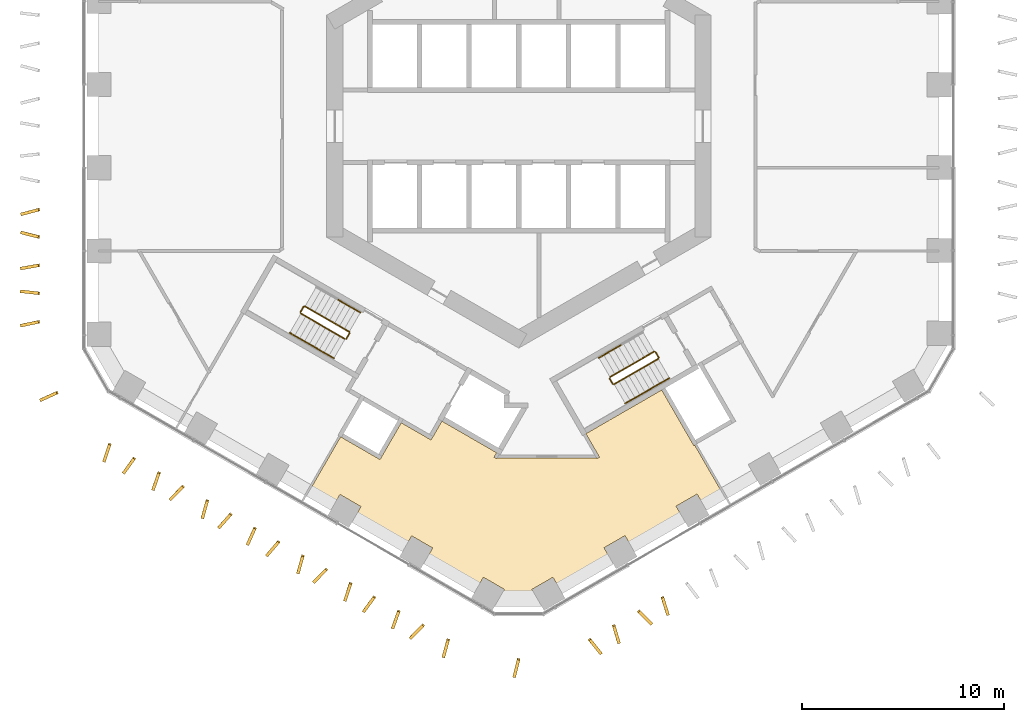
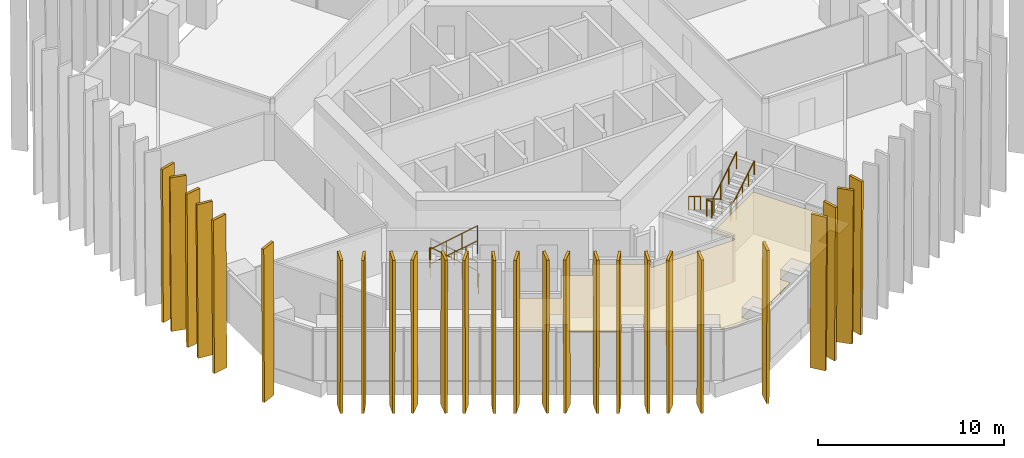
# One storey, part 16 of 18: 26 shading devices, 14 railings, 1 covering.
"""IFC4 building model written with IfcOpenShell, lengths in metres."""

from ifc_helpers import new_model, si_unit, direction, frame, origin, origin_2d, place, context, subcontext, project, spatial, polyline, circle, outline, extrude, material, layer, layer_set, type_object, element, save


model = new_model("IFC4")

# Units and contexts
model_context = context("Model", 3, precision=1e-05, world=origin(), true_north=direction((0.0, 1.0)))
body_context = subcontext(model_context, "Body", "Model", "MODEL_VIEW")
ifc_project = project(units=[si_unit("LENGTHUNIT", "METRE"), si_unit("AREAUNIT", "SQUARE_METRE"), si_unit("VOLUMEUNIT", "CUBIC_METRE"), si_unit("PLANEANGLEUNIT", "RADIAN"), si_unit("MASSUNIT", "GRAM", prefix="KILO")], contexts=[model_context])

# Site, building, storey
site_placement = place(None, origin())
site = spatial("IfcSite", under=ifc_project, at=site_placement, CompositionType="ELEMENT")
building_placement = place(site_placement, origin())
building = spatial("IfcBuilding", under=site, at=building_placement, Name="Ayvan Gate Tower", CompositionType="ELEMENT")
storey_placement = place(building_placement, frame((0.0, 0.0, 25.5)))
storey = spatial("IfcBuildingStorey", under=building, at=storey_placement, Name="L05", CompositionType="ELEMENT", Elevation=25.5)

# Shading devices
ifc_material_1 = material(Name="Bronze anodised aluminium", Category="aluminium")
ifc_layer_1 = layer(ifc_material_1, 0.14990234375)
ifc_layer_set_1 = layer_set([ifc_layer_1], Name="Bronze anodised aluminium")
shading_device_type = type_object("IfcShadingDeviceType", Name="Bronze fin 900 x 150", PredefinedType="USERDEFINED", material=ifc_layer_set_1)
shading_device_1_placement = place(storey_placement, frame((-23.703857421875, -4.04150390625, 0.0), z_axis=(-0.25528106892, 0.966866875271, 0.000146130181), x_axis=(-0.966866885595, -0.255281071646, 0.0)))
element("IfcShadingDevice", 1, at=shading_device_1_placement, inside=storey, type_object=shading_device_type, Name="Bronze fin FG01.3.27", ObjectType="FIN", PredefinedType="USERDEFINED", context=body_context, shape_type="SweptSolid", body=[
    extrude(outline(polyline([(0.0, 0.0), (0.8999348312201656, -6.776263578034403e-21), (0.9679956143881523, 10.080078232625148), (0.06806078316798671, 10.080078232625148), (0.0, 0.0)])), origin(), (0.0, 0.0, -1.0), 0.14990234375),
])
shading_device_2_placement = place(storey_placement, frame((-23.666259765625, -5.41259765625, 0.0), z_axis=(0.244385986234, 0.969678025291, 0.000130383469), x_axis=(-0.969678033533, 0.244385988311, 0.0)))
element("IfcShadingDevice", 2, at=shading_device_2_placement, inside=storey, type_object=shading_device_type, Name="Bronze fin FG01.3.28", ObjectType="FIN", PredefinedType="USERDEFINED", context=body_context, shape_type="SweptSolid", body=[
    extrude(outline(polyline([(0.0, 0.0), (0.9000953968140175, 0.0), (0.968246945247778, 10.080078210679902), (0.06815154843376045, 10.080078210679902), (0.0, 0.0)])), origin(), (0.0, 0.0, -1.0), 0.14990234375),
])
shading_device_3_placement = place(storey_placement, frame((-23.69775390625, -6.795166015625, 0.0), z_axis=(-0.175231999897, 0.984527157317, 0.000150722769), x_axis=(-0.9845271685, -0.175232001888, 3.583e-09)))
element("IfcShadingDevice", 3, at=shading_device_3_placement, inside=storey, type_object=shading_device_type, Name="Bronze fin FG01.3.29", ObjectType="FIN", PredefinedType="USERDEFINED", context=body_context, shape_type="SweptSolid", body=[
    extrude(outline(polyline([(0.0, 0.0), (0.8999142987562473, -3.3881317890172014e-21), (0.968126787084412, 10.080078236027916), (0.06797212524991766, 10.080078242476885), (0.0, 0.0)])), origin(), (0.0, 0.0, -1.0), 0.14990234375),
])
shading_device_4_placement = place(storey_placement, frame((-23.67626953125, -8.19091796875, 0.0), z_axis=(0.11095256135, 0.993825693171, 0.000143956923), x_axis=(-0.993825703469, 0.1109525625, 2.166e-09)))
element("IfcShadingDevice", 4, at=shading_device_4_placement, inside=storey, type_object=shading_device_type, Name="Bronze fin FG01.3.30", ObjectType="FIN", PredefinedType="USERDEFINED", context=body_context, shape_type="SweptSolid", body=[
    extrude(outline(polyline([(0.0, 0.0), (0.9000871522390453, 3.3881317890172014e-21), (0.9679737790360895, 10.080078227350926), (0.06812926002543004, 10.08007823124991), (0.0, 0.0)])), origin(), (0.0, 0.0, -1.0), 0.14990234375),
])
shading_device_5_placement = place(storey_placement, frame((-23.7001953125, -9.588623046875, 0.0), z_axis=(-0.206174540762, 0.978515221747, 0.000139826546), x_axis=(-0.978515231313, -0.206174542777, 0.0)))
element("IfcShadingDevice", 5, at=shading_device_5_placement, inside=storey, type_object=shading_device_type, Name="Bronze fin FG01.3.31", ObjectType="FIN", PredefinedType="USERDEFINED", context=body_context, shape_type="SweptSolid", body=[
    extrude(outline(polyline([(0.0, 0.0), (0.8999504618786536, -3.3881317890172014e-21), (0.9678622352870175, 10.08007822354014), (0.06791177340836409, 10.08007822354014), (0.0, 0.0)])), origin(), (0.0, 0.0, -1.0), 0.14990234375),
])
shading_device_6_placement = place(storey_placement, frame((-22.8173828125, -13.08740234375, 0.0), z_axis=(-0.41375183572, 0.910389694923, 0.000147707964), x_axis=(-0.910389704853, -0.413751840234, 8.292e-09)))
element("IfcShadingDevice", 6, at=shading_device_6_placement, inside=storey, type_object=shading_device_type, Name="Bronze fin FG01.4.32", ObjectType="FIN", PredefinedType="USERDEFINED", context=body_context, shape_type="SweptSolid", body=[
    extrude(outline(polyline([(0.0, 0.0), (0.8997385293310194, -1.3552527156068805e-20), (0.967971566595263, 10.080078226935754), (0.06801077415270713, 10.080078241858114), (0.0, 0.0)])), origin(), (0.0, 0.0, -1.0), 0.14990234375),
])
shading_device_7_placement = place(storey_placement, frame((-20.2763671875, -15.6591796875, 0.0), z_axis=(-0.94785275473, 0.318708538219, 0.000151715917), x_axis=(-0.318708541888, -0.947852765638, -6.559e-09)))
element("IfcShadingDevice", 7, at=shading_device_7_placement, inside=storey, type_object=shading_device_type, Name="Bronze fin FG01.5.33", ObjectType="FIN", PredefinedType="USERDEFINED", context=body_context, shape_type="SweptSolid", body=[
    extrude(outline(polyline([(0.0, 0.0), (0.899970727504299, -6.776263578034403e-21), (0.9682151675954755, 10.080078247360277), (0.0680130307245658, 10.080078235553788), (0.0, 0.0)])), origin(), (0.0, 0.0, -1.0), 0.14990234375),
])
shading_device_8_placement = place(storey_placement, frame((-19.048095703125, -16.3427734375, 0.0), z_axis=(-0.812043486823, 0.583596906167, 0.000163157842), x_axis=(-0.583596913935, -0.812043497632, 0.0)))
element("IfcShadingDevice", 8, at=shading_device_8_placement, inside=storey, type_object=shading_device_type, Name="Bronze fin FG01.5.34", ObjectType="FIN", PredefinedType="USERDEFINED", context=body_context, shape_type="SweptSolid", body=[
    extrude(outline(polyline([(0.0, 0.0), (0.8998445191125883, 1.3552527156068805e-20), (0.9678119800361811, 10.08007825916827), (0.06796746092359279, 10.08007825916827), (0.0, 0.0)])), origin(), (0.0, 0.0, -1.0), 0.14990234375),
])
shading_device_9_placement = place(storey_placement, frame((-17.839599609375, -17.06494140625, 0.0), z_axis=(-0.943858348212, 0.330350421874, 0.000131447043), x_axis=(-0.330350424728, -0.943858356366, 0.0)))
element("IfcShadingDevice", 9, at=shading_device_9_placement, inside=storey, type_object=shading_device_type, Name="Bronze fin FG01.5.35", ObjectType="FIN", PredefinedType="USERDEFINED", context=body_context, shape_type="SweptSolid", body=[
    extrude(outline(polyline([(0.0, 0.0), (0.9001449945001401, 6.776263578034403e-21), (0.968226769741434, 10.080078212083436), (0.06808177524129391, 10.080078212083436), (0.0, 0.0)])), origin(), (0.0, 0.0, -1.0), 0.14990234375),
])
shading_device_10_placement = place(storey_placement, frame((-16.62255859375, -17.72998046875, 0.0), z_axis=(-0.714192488014, 0.699949332982, 0.000146021218), x_axis=(-0.699949340443, -0.714192495629, 1.3863e-08)))
element("IfcShadingDevice", 10, at=shading_device_10_placement, inside=storey, type_object=shading_device_type, Name="Bronze fin FG01.5.36", ObjectType="FIN", PredefinedType="USERDEFINED", context=body_context, shape_type="SweptSolid", body=[
    extrude(outline(polyline([(0.0, 0.0), (0.8999848972986471, 1.3552527156068805e-20), (0.9680200469600663, 10.080078219045035), (0.06820951306367258, 10.08007824399561), (0.0, 0.0)])), origin(), (0.0, 0.0, -1.0), 0.14990234375),
])
shading_device_11_placement = place(storey_placement, frame((-15.459716796875, -18.44482421875, 0.0), z_axis=(-0.964248711042, 0.264998872205, 0.00014485524), x_axis=(-0.264998874985, -0.964248721159, 0.0)))
element("IfcShadingDevice", 11, at=shading_device_11_placement, inside=storey, type_object=shading_device_type, Name="Bronze fin FG01.5.37", ObjectType="FIN", PredefinedType="USERDEFINED", context=body_context, shape_type="SweptSolid", body=[
    extrude(outline(polyline([(0.0, 0.0), (0.9000996349073335, 0.0), (0.96806034736141, 10.080078230755346), (0.06796071245407653, 10.080078230755346), (0.0, 0.0)])), origin(), (0.0, 0.0, -1.0), 0.14990234375),
])
shading_device_12_placement = place(storey_placement, frame((-14.26220703125, -19.09716796875, 0.0), z_axis=(-0.750700055321, 0.660643174249, 0.000152505759), x_axis=(-0.660643181932, -0.750700064051, -1.862e-09)))
element("IfcShadingDevice", 12, at=shading_device_12_placement, inside=storey, type_object=shading_device_type, Name="Bronze fin FG01.5.38", ObjectType="FIN", PredefinedType="USERDEFINED", context=body_context, shape_type="SweptSolid", body=[
    extrude(outline(polyline([(0.0, 0.0), (0.9002110762892095, 1.3552527156068805e-20), (0.9681198082996413, 10.080078244024275), (0.06825329823259578, 10.080078240671842), (0.0, 0.0)])), origin(), (0.0, 0.0, -1.0), 0.14990234375),
])
shading_device_13_placement = place(storey_placement, frame((-13.092529296875, -19.79833984375, 0.0), z_axis=(-0.912012836533, 0.410161632611, 0.000145372515), x_axis=(-0.410161636945, -0.91201284617, 0.0)))
element("IfcShadingDevice", 13, at=shading_device_13_placement, inside=storey, type_object=shading_device_type, Name="Bronze fin FG01.5.39", ObjectType="FIN", PredefinedType="USERDEFINED", context=body_context, shape_type="SweptSolid", body=[
    extrude(outline(polyline([(0.0, 0.0), (0.8999881796590448, 0.0), (0.9681265878359551, 10.080078231511994), (0.06813840817691028, 10.080078231511994), (0.0, 0.0)])), origin(), (0.0, 0.0, -1.0), 0.14990234375),
])
shading_device_14_placement = place(storey_placement, frame((-11.8994140625, -20.462646484375, 0.0), z_axis=(-0.760766983354, 0.64902509489, 0.000152451837), x_axis=(-0.649025102432, -0.760766992195, 0.0)))
element("IfcShadingDevice", 14, at=shading_device_14_placement, inside=storey, type_object=shading_device_type, Name="Bronze fin FG01.5.40", ObjectType="FIN", PredefinedType="USERDEFINED", context=body_context, shape_type="SweptSolid", body=[
    extrude(outline(polyline([(0.0, 0.0), (0.900163203912648, -1.3552527156068805e-20), (0.9681695731367959, 10.080078242138384), (0.0680063692241478, 10.080078242138384), (0.0, 0.0)])), origin(), (0.0, 0.0, -1.0), 0.14990234375),
])
shading_device_15_placement = place(storey_placement, frame((-10.732666015625, -21.17333984375, 0.0), z_axis=(-0.962626624309, 0.270831976436, 0.000150699556), x_axis=(-0.270831979515, -0.962626635239, -1.9673e-08)))
element("IfcShadingDevice", 15, at=shading_device_15_placement, inside=storey, type_object=shading_device_type, Name="Bronze fin FG01.5.41", ObjectType="FIN", PredefinedType="USERDEFINED", context=body_context, shape_type="SweptSolid", body=[
    extrude(outline(polyline([(0.0, 0.0), (0.9001277041014364, -6.776263578034403e-21), (0.968144253376979, 10.080078258507614), (0.06808267036429119, 10.080078223092068), (0.0, 0.0)])), origin(), (0.0, 0.0, -1.0), 0.14990234375),
])
shading_device_16_placement = place(storey_placement, frame((-9.5322265625, -21.8232421875, 0.0), z_axis=(-0.710489678333, 0.703707608093, 0.000138900373), x_axis=(-0.703707614882, -0.710489685187, 0.0)))
element("IfcShadingDevice", 16, at=shading_device_16_placement, inside=storey, type_object=shading_device_type, Name="Bronze fin FG01.5.42", ObjectType="FIN", PredefinedType="USERDEFINED", context=body_context, shape_type="SweptSolid", body=[
    extrude(outline(polyline([(0.0, 0.0), (0.8999487398702626, 0.0), (0.967973832268972, 10.080078222239056), (0.06802509239870957, 10.080078222239056), (0.0, 0.0)])), origin(), (0.0, 0.0, -1.0), 0.14990234375),
])
shading_device_17_placement = place(storey_placement, frame((-8.368408203125, -22.534423828125, 0.0), z_axis=(-0.949035296738, 0.315169767022, 0.00015329959), x_axis=(-0.315169770725, -0.94903530789, 0.0)))
element("IfcShadingDevice", 17, at=shading_device_17_placement, inside=storey, type_object=shading_device_type, Name="Bronze fin FG01.5.43", ObjectType="FIN", PredefinedType="USERDEFINED", context=body_context, shape_type="SweptSolid", body=[
    extrude(outline(polyline([(0.0, 0.0), (0.9001225136445898, 0.0), (0.9682954502671429, 10.080078243444772), (0.06817293662255312, 10.080078243444772), (0.0, 0.0)])), origin(), (0.0, 0.0, -1.0), 0.14990234375),
])
shading_device_18_placement = place(storey_placement, frame((-7.17626953125, -23.196044921875, 0.0), z_axis=(-0.807361289185, 0.59005739381, 0.000143996728), x_axis=(-0.590057399927, -0.807361297556, 0.0)))
element("IfcShadingDevice", 18, at=shading_device_18_placement, inside=storey, type_object=shading_device_type, Name="Bronze fin FG01.5.44", ObjectType="FIN", PredefinedType="USERDEFINED", context=body_context, shape_type="SweptSolid", body=[
    extrude(outline(polyline([(0.0, 0.0), (0.8999223794843823, -1.3552527156068805e-20), (0.9681096160880571, 10.080078229505505), (0.068187236603675, 10.080078229505505), (0.0, 0.0)])), origin(), (0.0, 0.0, -1.0), 0.14990234375),
])
shading_device_19_placement = place(storey_placement, frame((-5.986328125, -23.90771484375, 0.0), z_axis=(-0.941046373692, 0.33827755203, 0.000142666732), x_axis=(-0.338277555473, -0.941046383269, 0.0)))
element("IfcShadingDevice", 19, at=shading_device_19_placement, inside=storey, type_object=shading_device_type, Name="Bronze fin FG01.5.45", ObjectType="FIN", PredefinedType="USERDEFINED", context=body_context, shape_type="SweptSolid", body=[
    extrude(outline(polyline([(0.0, 0.0), (0.899980960750526, 0.0), (0.9682143577239923, 10.080078227583932), (0.0682333969734662, 10.080078227583932), (0.0, 0.0)])), origin(), (0.0, 0.0, -1.0), 0.14990234375),
])
shading_device_20_placement = place(storey_placement, frame((-4.751220703125, -24.584228515625, 0.0), z_axis=(-0.716203503547, 0.69789148215, 0.000143700226), x_axis=(-0.697891489357, -0.71620351094, -1.3959e-08)))
element("IfcShadingDevice", 20, at=shading_device_20_placement, inside=storey, type_object=shading_device_type, Name="Bronze fin FG01.5.46", ObjectType="FIN", PredefinedType="USERDEFINED", context=body_context, shape_type="SweptSolid", body=[
    extrude(outline(polyline([(0.0, 0.0), (0.9000127126459196, -1.3552527156068805e-20), (0.9680557602213877, 10.080078242588696), (0.06821343123986177, 10.080078217464461), (0.0, 0.0)])), origin(), (0.0, 0.0, -1.0), 0.14990234375),
])
shading_device_21_placement = place(storey_placement, frame((-3.5517578125, -25.320068359375, 0.0), z_axis=(-0.964569471449, 0.263828944167, 0.000151552269), x_axis=(-0.263828947193, -0.964569482527, 2.525e-08)))
element("IfcShadingDevice", 21, at=shading_device_21_placement, inside=storey, type_object=shading_device_type, Name="Bronze fin FG01.5.47", ObjectType="FIN", PredefinedType="USERDEFINED", context=body_context, shape_type="SweptSolid", body=[
    extrude(outline(polyline([(0.0, 0.0), (0.9000124063815345, 0.0), (0.9679750946671759, 10.0800782163186), (0.06813376751790078, 10.080078261765104), (0.0, 0.0)])), origin(), (0.0, 0.0, -1.0), 0.14990234375),
])
shading_device_22_placement = place(storey_placement, frame((-0.07275390625, -26.293212890625, 0.0), z_axis=(-0.970555932491, 0.240875815554, 0.000152933297), x_axis=(-0.240875818371, -0.970555943841, 0.0)))
element("IfcShadingDevice", 22, at=shading_device_22_placement, inside=storey, type_object=shading_device_type, Name="Bronze fin FG01.6.48", ObjectType="FIN", PredefinedType="USERDEFINED", context=body_context, shape_type="SweptSolid", body=[
    extrude(outline(polyline([(0.0, 0.0), (0.9000358627379677, 6.776263578034403e-21), (0.968074105327139, 10.080078242879425), (0.06803824258917132, 10.080078242879425), (0.0, 0.0)])), origin(), (0.0, 0.0, -1.0), 0.14990234375),
])
shading_device_23_placement = place(storey_placement, frame((3.41650390625, -25.389404296875, 0.0), z_axis=(-0.778601122085, -0.627519141593, 0.000140078587), x_axis=(0.627519147747, -0.778601129726, -2.6712e-08)))
element("IfcShadingDevice", 23, at=shading_device_23_placement, inside=storey, type_object=shading_device_type, Name="Bronze fin FG01.7.49", ObjectType="FIN", PredefinedType="USERDEFINED", context=body_context, shape_type="SweptSolid", body=[
    extrude(outline(polyline([(0.0, 0.0), (0.9001014727008456, -1.3552527156068805e-20), (0.9681665079364014, 10.080078249757747), (0.06810192048506244, 10.080078201671004), (0.0, 0.0)])), origin(), (0.0, 0.0, -1.0), 0.14990234375),
])
shading_device_24_placement = place(storey_placement, frame((4.612060546875, -24.66552734375, 0.0), z_axis=(-0.958975802968, -0.283487896493, 0.000147867729), x_axis=(0.283487899592, -0.958975813452, 0.0)))
element("IfcShadingDevice", 24, at=shading_device_24_placement, inside=storey, type_object=shading_device_type, Name="Bronze fin FG01.7.50", ObjectType="FIN", PredefinedType="USERDEFINED", context=body_context, shape_type="SweptSolid", body=[
    extrude(outline(polyline([(0.0, 0.0), (0.8999571180724122, 0.0), (0.9681172835615262, 10.080078235199776), (0.0681601654891139, 10.080078235199776), (0.0, 0.0)])), origin(), (0.0, 0.0, -1.0), 0.14990234375),
])
shading_device_25_placement = place(storey_placement, frame((5.84033203125, -23.9990234375, 0.0), z_axis=(-0.707513585904, -0.706699728251, 0.000140892831), x_axis=(0.706699735266, -0.707513592926, 0.0)))
element("IfcShadingDevice", 25, at=shading_device_25_placement, inside=storey, type_object=shading_device_type, Name="Bronze fin FG01.7.51", ObjectType="FIN", PredefinedType="USERDEFINED", context=body_context, shape_type="SweptSolid", body=[
    extrude(outline(polyline([(0.0, 0.0), (0.899938540214543, 0.0), (0.9679553298198089, 10.080078225048759), (0.06801678960526583, 10.080078225048759), (0.0, 0.0)])), origin(), (0.0, 0.0, -1.0), 0.14990234375),
])
shading_device_26_placement = place(storey_placement, frame((7.020263671875, -23.276611328125, 0.0), z_axis=(-0.954520989462, -0.298143688338, 0.000147581924), x_axis=(0.298143691586, -0.954520999857, 5.969e-09)))
element("IfcShadingDevice", 26, at=shading_device_26_placement, inside=storey, type_object=shading_device_type, Name="Bronze fin FG01.7.52", ObjectType="FIN", PredefinedType="USERDEFINED", context=body_context, shape_type="SweptSolid", body=[
    extrude(outline(polyline([(0.0, 0.0), (0.8998205064816783, 0.0), (0.9680536851847339, 10.08007822899573), (0.0680001413495749, 10.080078239739459), (0.0, 0.0)])), origin(), (0.0, 0.0, -1.0), 0.14990234375),
])

# Covering
ifc_material_2 = material(Name="Plasterboard suspended ceiling")
ifc_layer_2 = layer(ifc_material_2, 0.050048828125)
ifc_layer_set_2 = layer_set([ifc_layer_2], Name="Plasterboard suspended ceiling")
covering_type = type_object("IfcCoveringType", Name="CT-SUSP-50", PredefinedType="CEILING", material=ifc_layer_set_2)
covering_placement = place(storey_placement, frame((0.0, 0.0, 2.699951171875)))
element("IfcCovering", 27, at=covering_placement, inside=storey, type_object=covering_type, Name="Ceiling Shared Kitchen L05", PredefinedType="CEILING", context=body_context, shape_type="SweptSolid", body=[
    extrude(outline(polyline([(-6.858154296875, -16.478515625), (-6.76806640625, -16.32275390625), (-5.80810546875, -14.659912109375), (-4.3359375, -15.510009765625), (-4.245849609375, -15.35400390625), (-4.235595703125, -15.33642578125), (-3.798583984375, -14.5791015625), (-3.775390625, -14.59228515625), (-1.092041015625, -16.1416015625), (-1.22021484375, -16.36328125), (-1.090087890625, -16.4384765625), (-1.042724609375, -16.35595703125), (-1.042724609375, -16.410888671875), (3.81396484375, -16.410888671875), (3.81396484375, -16.35595703125), (3.861572265625, -16.4384765625), (3.991455078125, -16.36328125), (3.320556640625, -15.201416015625), (3.346435546875, -15.186279296875), (7.066162109375, -13.038818359375), (8.653564453125, -15.78857421875), (8.697021484375, -15.763427734375), (10.089111328125, -18.175048828125), (9.130615234375, -18.728515625), (8.815673828125, -18.18310546875), (7.7763671875, -18.783203125), (8.09130859375, -19.32861328125), (6.236083984375, -20.399658203125), (5.567626953125, -20.785400390625), (5.252685546875, -20.240234375), (4.213623046875, -20.840087890625), (4.5283203125, -21.385498046875), (2.0048828125, -22.842529296875), (1.68994140625, -22.297119140625), (0.650634765625, -22.897216796875), (0.8828125, -23.29931640625), (0.0, -23.535888671875), (-0.934326171875, -23.28564453125), (-0.710205078125, -22.897216796875), (-1.749267578125, -22.297119140625), (-2.04931640625, -22.81689453125), (-4.156982421875, -21.60009765625), (-4.55517578125, -21.3701171875), (-4.255126953125, -20.8505859375), (-5.294189453125, -20.25048828125), (-5.59423828125, -20.77001953125), (-8.10009765625, -19.323486328125), (-7.80029296875, -18.8037109375), (-8.83935546875, -18.203857421875), (-9.139404296875, -18.723388671875), (-10.34912109375, -18.02490234375), (-8.806640625, -15.353515625), (-8.763427734375, -15.378662109375), (-6.858154296875, -16.478515625)])), origin(), (0.0, 0.0, 1.0), 0.050048828125),
])

# Railings
ifc_material_3 = material(Name="Stainless steel balustrade", Category="steel")
railing_type_1 = type_object("IfcRailingType", Name="RL-GUARD-1100", PredefinedType="GUARDRAIL", material=ifc_material_3)
railing_1_placement = place(storey_placement, frame((-8.381103515625, -10.16650390625, 0.169921875)))
element("IfcRailing", 28, at=railing_1_placement, inside=storey, type_object=railing_type_1, Name="L05 STS2 stair guard 1", PredefinedType="GUARDRAIL", context=body_context, shape_type="SweptSolid", body=[
    extrude(circle(Radius=0.02392578125, at=origin_2d()), frame((0.0, 0.0, 1.076171875), z_axis=(-0.740261155115, 0.427395438142, 0.518986090067), x_axis=(-0.500004791531, -0.866022637375, 0.0)), (0.0, 0.0, 1.0), 2.947998046875),
    extrude(circle(Radius=0.02099609375, at=origin_2d()), origin(), (0.0, 0.0, 1.0), 1.052001953125),
    extrude(circle(Radius=0.02099609375, at=origin_2d()), frame((-0.7275390625, 0.419921875, 0.510009765625)), (0.0, 0.0, 1.0), 1.052001953125),
    extrude(circle(Radius=0.02099609375, at=origin_2d()), frame((-1.454833984375, 0.840087890625, 1.02001953125)), (0.0, 0.0, 1.0), 1.052001953125),
    extrude(circle(Radius=0.02099609375, at=origin_2d()), frame((-2.182373046875, 1.260009765625, 1.530029296875)), (0.0, 0.0, 1.0), 1.052001953125),
])
railing_2_placement = place(storey_placement, frame((-10.6318359375, -8.9248046875, 1.699951171875)))
element("IfcRailing", 29, at=railing_2_placement, inside=storey, type_object=railing_type_1, Name="L05 STS2 stair guard 2", PredefinedType="GUARDRAIL", context=body_context, shape_type="SweptSolid", body=[
    extrude(circle(Radius=0.02392578125, at=origin_2d()), frame((0.0, 0.0, 1.076171875), z_axis=(-0.499949632511, -0.866054481515, 0.0), x_axis=(0.866054481515, -0.499949632511, 0.0)), (0.0, 0.0, 1.0), 0.31005859375),
    extrude(circle(Radius=0.02099609375, at=origin_2d()), origin(), (0.0, 0.0, 1.0), 1.052001953125),
    extrude(circle(Radius=0.02099609375, at=origin_2d()), frame((-0.155029296875, -0.2685546875, 0.0)), (0.0, 0.0, 1.0), 1.052001953125),
])
railing_3_placement = place(storey_placement, frame((-10.7685546875, -9.261474609375, 1.8701171875)))
element("IfcRailing", 30, at=railing_3_placement, inside=storey, type_object=railing_type_1, Name="L05 STS2 stair guard 3", PredefinedType="GUARDRAIL", context=body_context, shape_type="SweptSolid", body=[
    extrude(circle(Radius=0.02392578125, at=origin_2d()), frame((0.0, 0.0, 1.076171875), z_axis=(0.740292969978, -0.427413806696, 0.51892557891), x_axis=(0.500004791531, 0.866022637375, 0.0)), (0.0, 0.0, 1.0), 2.947998046875),
    extrude(circle(Radius=0.02099609375, at=origin_2d()), origin(), (0.0, 0.0, 1.0), 1.052001953125),
    extrude(circle(Radius=0.02099609375, at=origin_2d()), frame((0.7275390625, -0.419921875, 0.510009765625)), (0.0, 0.0, 1.0), 1.052001953125),
    extrude(circle(Radius=0.02099609375, at=origin_2d()), frame((1.454833984375, -0.840087890625, 1.019775390625)), (0.0, 0.0, 1.0), 1.052001953125),
    extrude(circle(Radius=0.02099609375, at=origin_2d()), frame((2.182373046875, -1.260009765625, 1.52978515625)), (0.0, 0.0, 1.0), 1.052001953125),
])
railing_4_placement = place(storey_placement, frame((-8.36279296875, -10.23486328125, 0.0)))
element("IfcRailing", 31, at=railing_4_placement, inside=storey, type_object=railing_type_1, Name="L05 STS2 stair guard 4", PredefinedType="GUARDRAIL", context=body_context, shape_type="SweptSolid", body=[
    extrude(circle(Radius=0.02392578125, at=origin_2d()), frame((0.0, 0.0, 1.076171875), z_axis=(-0.500290723946, -0.86585748916, 0.0), x_axis=(0.86585748916, -0.500290723946, 0.0)), (0.0, 0.0, 1.0), 0.309814453125),
    extrude(circle(Radius=0.02099609375, at=origin_2d()), origin(), (0.0, 0.0, 1.0), 1.052001953125),
    extrude(circle(Radius=0.02099609375, at=origin_2d()), frame((-0.155029296875, -0.268310546875, 0.0)), (0.0, 0.0, 1.0), 1.052001953125),
])
railing_5_placement = place(storey_placement, frame((6.6923828125, -11.1416015625, 0.169921875)))
element("IfcRailing", 32, at=railing_5_placement, inside=storey, type_object=railing_type_1, Name="L05 STS3 stair guard 1", PredefinedType="GUARDRAIL", context=body_context, shape_type="SweptSolid", body=[
    extrude(circle(Radius=0.02392578125, at=origin_2d()), frame((0.0, 0.0, 1.076171875), z_axis=(-0.740261155115, -0.427395438142, 0.518986090067), x_axis=(0.500004791531, -0.866022637375, 0.0)), (0.0, 0.0, 1.0), 2.947998046875),
    extrude(circle(Radius=0.02099609375, at=origin_2d()), origin(), (0.0, 0.0, 1.0), 1.052001953125),
    extrude(circle(Radius=0.02099609375, at=origin_2d()), frame((-0.7275390625, -0.419921875, 0.510009765625)), (0.0, 0.0, 1.0), 1.052001953125),
    extrude(circle(Radius=0.02099609375, at=origin_2d()), frame((-1.454833984375, -0.840087890625, 1.02001953125)), (0.0, 0.0, 1.0), 1.052001953125),
    extrude(circle(Radius=0.02099609375, at=origin_2d()), frame((-2.182373046875, -1.260009765625, 1.530029296875)), (0.0, 0.0, 1.0), 1.052001953125),
])
railing_6_placement = place(storey_placement, frame((4.49169921875, -12.4697265625, 1.699951171875)))
element("IfcRailing", 33, at=railing_6_placement, inside=storey, type_object=railing_type_1, Name="L05 STS3 stair guard 2", PredefinedType="GUARDRAIL", context=body_context, shape_type="SweptSolid", body=[
    extrude(circle(Radius=0.02392578125, at=origin_2d()), frame((0.0, 0.0, 1.076171875), z_axis=(0.499949632511, -0.866054481515, 0.0), x_axis=(0.866054481515, 0.499949632511, 0.0)), (0.0, 0.0, 1.0), 0.31005859375),
    extrude(circle(Radius=0.02099609375, at=origin_2d()), origin(), (0.0, 0.0, 1.0), 1.052001953125),
    extrude(circle(Radius=0.02099609375, at=origin_2d()), frame((0.155029296875, -0.2685546875, 0.0)), (0.0, 0.0, 1.0), 1.052001953125),
])
railing_7_placement = place(storey_placement, frame((4.715087890625, -12.756591796875, 1.8701171875)))
element("IfcRailing", 34, at=railing_7_placement, inside=storey, type_object=railing_type_1, Name="L05 STS3 stair guard 3", PredefinedType="GUARDRAIL", context=body_context, shape_type="SweptSolid", body=[
    extrude(circle(Radius=0.02392578125, at=origin_2d()), frame((0.0, 0.0, 1.076171875), z_axis=(0.740292969978, 0.427413806696, 0.51892557891), x_axis=(-0.500004791531, 0.866022637375, 0.0)), (0.0, 0.0, 1.0), 2.947998046875),
    extrude(circle(Radius=0.02099609375, at=origin_2d()), origin(), (0.0, 0.0, 1.0), 1.052001953125),
    extrude(circle(Radius=0.02099609375, at=origin_2d()), frame((0.7275390625, 0.419921875, 0.510009765625)), (0.0, 0.0, 1.0), 1.052001953125),
    extrude(circle(Radius=0.02099609375, at=origin_2d()), frame((1.454833984375, 0.840087890625, 1.019775390625)), (0.0, 0.0, 1.0), 1.052001953125),
    extrude(circle(Radius=0.02099609375, at=origin_2d()), frame((2.182373046875, 1.260009765625, 1.52978515625)), (0.0, 0.0, 1.0), 1.052001953125),
])
railing_8_placement = place(storey_placement, frame((6.7607421875, -11.159912109375, 0.0)))
element("IfcRailing", 35, at=railing_8_placement, inside=storey, type_object=railing_type_1, Name="L05 STS3 stair guard 4", PredefinedType="GUARDRAIL", context=body_context, shape_type="SweptSolid", body=[
    extrude(circle(Radius=0.02392578125, at=origin_2d()), frame((0.0, 0.0, 1.076171875), z_axis=(0.500290723946, -0.86585748916, 0.0), x_axis=(0.86585748916, 0.500290723946, 0.0)), (0.0, 0.0, 1.0), 0.309814453125),
    extrude(circle(Radius=0.02099609375, at=origin_2d()), origin(), (0.0, 0.0, 1.0), 1.052001953125),
    extrude(circle(Radius=0.02099609375, at=origin_2d()), frame((0.155029296875, -0.268310546875, 0.0)), (0.0, 0.0, 1.0), 1.052001953125),
])
railing_type_2 = type_object("IfcRailingType", Name="RL-HANDRAIL-900", PredefinedType="HANDRAIL", material=ifc_material_3)
railing_9_placement = place(storey_placement, frame((-7.8310546875, -9.2138671875, 0.169921875)))
element("IfcRailing", 36, at=railing_9_placement, inside=storey, type_object=railing_type_2, Name="L05 STS2 stair handrail 1", PredefinedType="HANDRAIL", context=body_context, shape_type="SweptSolid", body=[
    extrude(circle(Radius=0.02392578125, at=origin_2d()), frame((0.0, 0.0, 0.8759765625), z_axis=(-0.740292964666, 0.42728318766, 0.519033143459), x_axis=(-0.499890179513, -0.866088799389, 0.0)), (0.0, 0.0, 1.0), 1.47412109375),
    extrude(circle(Radius=0.02099609375, at=origin_2d()), origin(), (0.0, 0.0, 1.0), 0.851806640625),
    extrude(circle(Radius=0.02099609375, at=origin_2d()), frame((-0.545654296875, 0.31494140625, 0.382568359375)), (0.0, 0.0, 1.0), 0.851806640625),
    extrude(circle(Radius=0.02099609375, at=origin_2d()), frame((-1.09130859375, 0.6298828125, 0.76513671875)), (0.0, 0.0, 1.0), 0.851806640625),
])
railing_10_placement = place(storey_placement, frame((-11.318603515625, -10.214111328125, 1.8701171875)))
element("IfcRailing", 37, at=railing_10_placement, inside=storey, type_object=railing_type_2, Name="L05 STS2 stair handrail 3", PredefinedType="HANDRAIL", context=body_context, shape_type="SweptSolid", body=[
    extrude(circle(Radius=0.02392578125, at=origin_2d()), frame((0.0, 0.0, 0.8759765625), z_axis=(0.740304193401, -0.427455284825, 0.518875399983), x_axis=(0.500035496587, 0.86600490885, 0.0)), (0.0, 0.0, 1.0), 1.47412109375),
    extrude(circle(Radius=0.02099609375, at=origin_2d()), origin(), (0.0, 0.0, 1.0), 0.851806640625),
    extrude(circle(Radius=0.02099609375, at=origin_2d()), frame((0.545654296875, -0.31494140625, 0.38232421875)), (0.0, 0.0, 1.0), 0.851806640625),
    extrude(circle(Radius=0.02099609375, at=origin_2d()), frame((1.09130859375, -0.630126953125, 0.764892578125)), (0.0, 0.0, 1.0), 0.851806640625),
])
railing_11_placement = place(storey_placement, frame((-10.227294921875, -10.84423828125, 2.635009765625)))
element("IfcRailing", 38, at=railing_11_placement, inside=storey, type_object=railing_type_2, Name="L05 STS2 stair handrail 4", PredefinedType="HANDRAIL", context=body_context, shape_type="SweptSolid", body=[
    extrude(circle(Radius=0.02392578125, at=origin_2d()), frame((0.0, 0.0, 0.8759765625), z_axis=(0.740356597536, -0.427319915356, 0.518912129772), x_axis=(0.499890179513, 0.866088799389, 0.0)), (0.0, 0.0, 1.0), 1.47412109375),
    extrude(circle(Radius=0.02099609375, at=origin_2d()), origin(), (0.0, 0.0, 1.0), 0.851806640625),
    extrude(circle(Radius=0.02099609375, at=origin_2d()), frame((0.545654296875, -0.31494140625, 0.38232421875)), (0.0, 0.0, 1.0), 0.851806640625),
    extrude(circle(Radius=0.02099609375, at=origin_2d()), frame((1.09130859375, -0.6298828125, 0.764892578125)), (0.0, 0.0, 1.0), 0.851806640625),
])
railing_12_placement = place(storey_placement, frame((5.05126953125, -10.81884765625, 0.93505859375)))
element("IfcRailing", 39, at=railing_12_placement, inside=storey, type_object=railing_type_2, Name="L05 STS3 stair handrail 2", PredefinedType="HANDRAIL", context=body_context, shape_type="SweptSolid", body=[
    extrude(circle(Radius=0.02392578125, at=origin_2d()), frame((0.0, 0.0, 0.8759765625), z_axis=(-0.740304193401, -0.427455284825, 0.518875399983), x_axis=(0.500035496587, -0.86600490885, 0.0)), (0.0, 0.0, 1.0), 1.47412109375),
    extrude(circle(Radius=0.02099609375, at=origin_2d()), origin(), (0.0, 0.0, 1.0), 0.851806640625),
    extrude(circle(Radius=0.02099609375, at=origin_2d()), frame((-0.545654296875, -0.31494140625, 0.38232421875)), (0.0, 0.0, 1.0), 0.851806640625),
    extrude(circle(Radius=0.02099609375, at=origin_2d()), frame((-1.09130859375, -0.630126953125, 0.764892578125)), (0.0, 0.0, 1.0), 0.851806640625),
])
railing_13_placement = place(storey_placement, frame((5.264892578125, -13.709228515625, 1.8701171875)))
element("IfcRailing", 40, at=railing_13_placement, inside=storey, type_object=railing_type_2, Name="L05 STS3 stair handrail 3", PredefinedType="HANDRAIL", context=body_context, shape_type="SweptSolid", body=[
    extrude(circle(Radius=0.02392578125, at=origin_2d()), frame((0.0, 0.0, 0.8759765625), z_axis=(0.740304193401, 0.427455284825, 0.518875399983), x_axis=(-0.500035496587, 0.86600490885, 0.0)), (0.0, 0.0, 1.0), 1.47412109375),
    extrude(circle(Radius=0.02099609375, at=origin_2d()), origin(), (0.0, 0.0, 1.0), 0.851806640625),
    extrude(circle(Radius=0.02099609375, at=origin_2d()), frame((0.545654296875, 0.31494140625, 0.38232421875)), (0.0, 0.0, 1.0), 0.851806640625),
    extrude(circle(Radius=0.02099609375, at=origin_2d()), frame((1.09130859375, 0.630126953125, 0.764892578125)), (0.0, 0.0, 1.0), 0.851806640625),
])
railing_14_placement = place(storey_placement, frame((6.356201171875, -13.0791015625, 2.635009765625)))
element("IfcRailing", 41, at=railing_14_placement, inside=storey, type_object=railing_type_2, Name="L05 STS3 stair handrail 4", PredefinedType="HANDRAIL", context=body_context, shape_type="SweptSolid", body=[
    extrude(circle(Radius=0.02392578125, at=origin_2d()), frame((0.0, 0.0, 0.8759765625), z_axis=(0.740281741151, 0.427372318678, 0.518975765278), x_axis=(-0.499974077718, 0.866040369504, 0.0)), (0.0, 0.0, 1.0), 1.473876953125),
    extrude(circle(Radius=0.02099609375, at=origin_2d()), origin(), (0.0, 0.0, 1.0), 0.851806640625),
    extrude(circle(Radius=0.02099609375, at=origin_2d()), frame((0.54541015625, 0.31494140625, 0.38232421875)), (0.0, 0.0, 1.0), 0.851806640625),
    extrude(circle(Radius=0.02099609375, at=origin_2d()), frame((1.091064453125, 0.6298828125, 0.764892578125)), (0.0, 0.0, 1.0), 0.851806640625),
])

save(model, "model.ifc")
